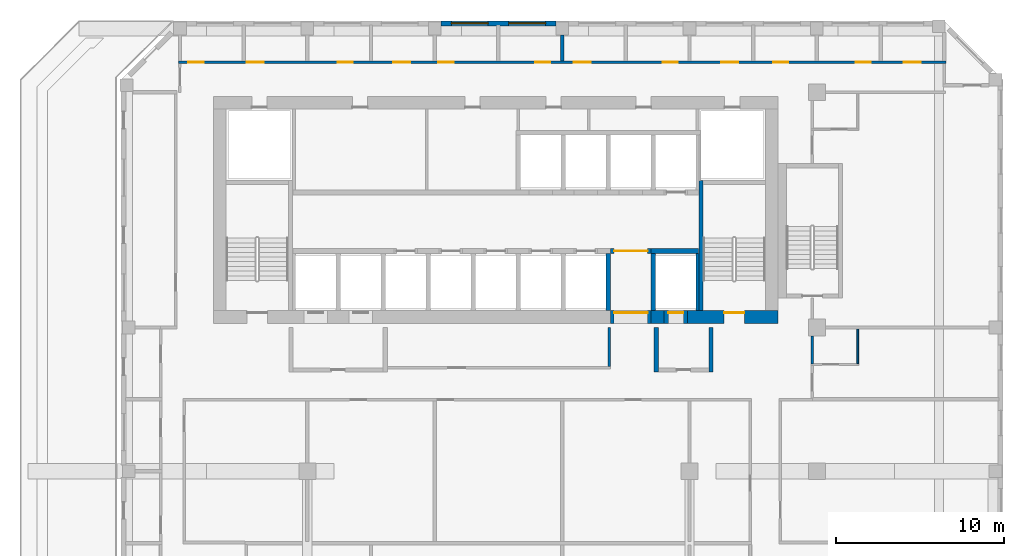
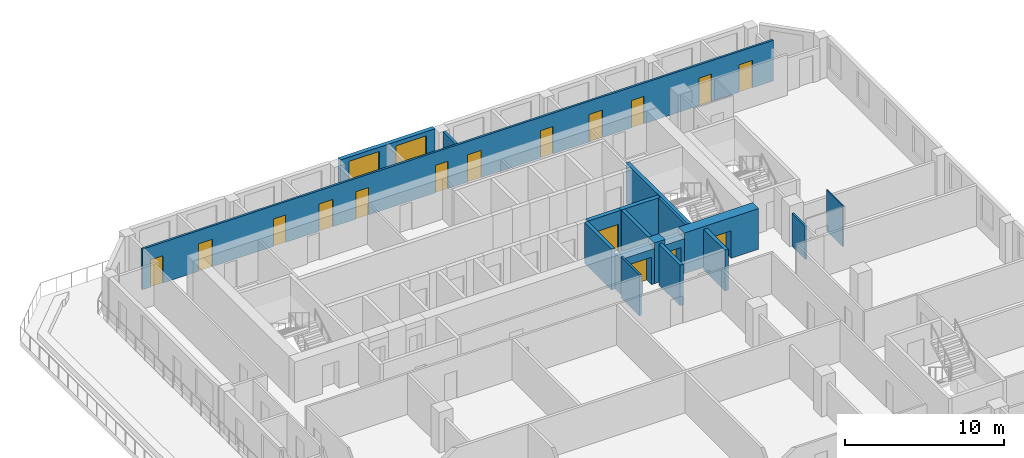
# One storey, part 9 of 16: 18 walls, 16 doors, 2 windows, 18 openings.
"""IFC4 building model written with IfcOpenShell, lengths in metres."""

from ifc_helpers import new_model, si_unit, direction, frame, frame_2d, origin, place, context, subcontext, project, spatial, rectangle, extrude, source, transform, mapped, material, layer, layer_set, type_object, element, fill, save


model = new_model("IFC4")

# Units and contexts
model_context = context("Model", 3, precision=1e-05, world=origin(), true_north=direction((0.0, 1.0)))
body_context = subcontext(model_context, "Body", "Model", "MODEL_VIEW")
ifc_project = project(units=[si_unit("LENGTHUNIT", "METRE"), si_unit("AREAUNIT", "SQUARE_METRE"), si_unit("VOLUMEUNIT", "CUBIC_METRE"), si_unit("PLANEANGLEUNIT", "RADIAN"), si_unit("MASSUNIT", "GRAM", prefix="KILO")], contexts=[model_context])

# Site, building, storey
site_placement = place(None, origin())
site = spatial("IfcSite", under=ifc_project, at=site_placement, CompositionType="ELEMENT")
building_placement = place(site_placement, origin())
building = spatial("IfcBuilding", under=site, at=building_placement, Name="Kilnfold Tower and Market Hall", CompositionType="ELEMENT")
storey_placement = place(building_placement, frame((0.0, 0.0, 199.89990234375)))
storey = spatial("IfcBuildingStorey", under=building, at=storey_placement, Name="L48", CompositionType="ELEMENT", Elevation=199.89990234375)

# Wall
ifc_material_1 = material(Name="Gypsum board on steel studs", Category="steel")
ifc_layer_1 = layer(ifc_material_1, 0.14990234375)
ifc_layer_set_1 = layer_set([ifc_layer_1], Name="Gypsum board on steel studs")
wall_type_1 = type_object("IfcWallType", Name="WALL CORRIDOR 150", PredefinedType="PARTITIONING", material=ifc_layer_set_1)
wall_1_placement = place(storey_placement, frame((19.89990234375, 5.840087890625, 0.0), z_axis=(0.0, 0.0, 1.0), x_axis=(0.0, 1.0, 0.0)))
element("IfcWall", 1, at=wall_1_placement, inside=storey, type_object=wall_type_1, Name="Partition LY30.19", PredefinedType="PARTITIONING", context=body_context, shape_type="SweptSolid", body=[
    extrude(rectangle(XDim=1.659912109375, YDim=0.14990234375, at=frame_2d((0.830078125, 0.0))), origin(), (0.0, 0.0, 1.0), 2.52001953125),
])

# Wall, openings, doors
wall_2_placement = place(storey_placement, frame((-17.85009765625, 23.800048828125, 0.0), z_axis=(0.0, 0.0, 1.0), x_axis=(1.0, 0.0, 0.0)))
wall_2 = element("IfcWall", 2, at=wall_2_placement, inside=storey, type_object=wall_type_1, Name="Partition LY30.31", PredefinedType="PARTITIONING", context=body_context, shape_type="SweptSolid", body=[
    extrude(rectangle(XDim=45.7001953125, YDim=0.14990234375, at=frame_2d((22.85009765625, 0.0))), origin(), (0.0, 0.0, 1.0), 3.1201171875),
])
opening_1_placement = place(wall_2_placement, frame((0.60009765625, 0.0, 0.0)))
opening_1 = element("IfcOpeningElement", 3, at=opening_1_placement, cuts=wall_2, Name="Opening D2", PredefinedType="OPENING", context=body_context, shape_type="SweptSolid", body=[
    extrude(rectangle(XDim=0.89990234375, YDim=2.10009765625, at=frame_2d((0.449951171875, 1.050048828125))), frame((0.0, 0.0849609375, 0.0), z_axis=(0.0, -1.0, 0.0), x_axis=(1.0, 0.0, 0.0)), (0.0, 0.0, 1.0), 0.169921875),
])
opening_2_placement = place(wall_2_placement, frame((4.0810546875, 0.0, 0.0)))
opening_2 = element("IfcOpeningElement", 4, at=opening_2_placement, cuts=wall_2, Name="Opening D4", PredefinedType="OPENING", context=body_context, shape_type="SweptSolid", body=[
    extrude(rectangle(XDim=1.0, YDim=2.10009765625, at=frame_2d((0.5, 1.050048828125))), frame((0.0, 0.0849609375, 0.0), z_axis=(0.0, -1.0, 0.0), x_axis=(1.0, 0.0, 0.0)), (0.0, 0.0, 1.0), 0.169921875),
])
opening_3_placement = place(wall_2_placement, frame((9.48095703125, 0.0, 0.0)))
opening_3 = element("IfcOpeningElement", 5, at=opening_3_placement, cuts=wall_2, Name="Opening D2", PredefinedType="OPENING", context=body_context, shape_type="SweptSolid", body=[
    extrude(rectangle(XDim=0.89990234375, YDim=2.10009765625, at=frame_2d((0.449951171875, 1.050048828125))), frame((0.0, 0.0849609375, 0.0), z_axis=(0.0, -1.0, 0.0), x_axis=(1.0, 0.0, 0.0)), (0.0, 0.0, 1.0), 0.169921875),
])
opening_4_placement = place(wall_2_placement, frame((12.802978515625, 0.0, 0.0)))
opening_4 = element("IfcOpeningElement", 6, at=opening_4_placement, cuts=wall_2, Name="Opening D4", PredefinedType="OPENING", context=body_context, shape_type="SweptSolid", body=[
    extrude(rectangle(XDim=1.0, YDim=2.10009765625, at=frame_2d((0.5, 1.050048828125))), frame((0.0, 0.0849609375, 0.0), z_axis=(0.0, -1.0, 0.0), x_axis=(1.0, 0.0, 0.0)), (0.0, 0.0, 1.0), 0.169921875),
])
opening_5_placement = place(wall_2_placement, frame((15.489013671875, 0.0, 0.0)))
opening_5 = element("IfcOpeningElement", 7, at=opening_5_placement, cuts=wall_2, Name="Opening D2", PredefinedType="OPENING", context=body_context, shape_type="SweptSolid", body=[
    extrude(rectangle(XDim=0.89990234375, YDim=2.10009765625, at=frame_2d((0.449951171875, 1.050048828125))), frame((0.0, 0.0849609375, 0.0), z_axis=(0.0, -1.0, 0.0), x_axis=(1.0, 0.0, 0.0)), (0.0, 0.0, 1.0), 0.169921875),
])
opening_6_placement = place(wall_2_placement, frame((21.243896484375, 0.0, 0.0)))
opening_6 = element("IfcOpeningElement", 8, at=opening_6_placement, cuts=wall_2, Name="Opening D2", PredefinedType="OPENING", context=body_context, shape_type="SweptSolid", body=[
    extrude(rectangle(XDim=0.89990234375, YDim=2.10009765625, at=frame_2d((0.449951171875, 1.050048828125))), frame((0.0, 0.0849609375, 0.0), z_axis=(0.0, -1.0, 0.0), x_axis=(1.0, 0.0, 0.0)), (0.0, 0.0, 1.0), 0.169921875),
])
opening_7_placement = place(wall_2_placement, frame((23.5419921875, 0.0, 0.0)))
opening_7 = element("IfcOpeningElement", 9, at=opening_7_placement, cuts=wall_2, Name="Opening D4", PredefinedType="OPENING", context=body_context, shape_type="SweptSolid", body=[
    extrude(rectangle(XDim=1.0, YDim=2.10009765625, at=frame_2d((0.5, 1.050048828125))), frame((0.0, 0.0849609375, 0.0), z_axis=(0.0, -1.0, 0.0), x_axis=(1.0, 0.0, 0.0)), (0.0, 0.0, 1.0), 0.169921875),
])
opening_8_placement = place(wall_2_placement, frame((28.841064453125, 0.0, 0.0)))
opening_8 = element("IfcOpeningElement", 10, at=opening_8_placement, cuts=wall_2, Name="Opening D2", PredefinedType="OPENING", context=body_context, shape_type="SweptSolid", body=[
    extrude(rectangle(XDim=0.89990234375, YDim=2.10009765625, at=frame_2d((0.449951171875, 1.050048828125))), frame((0.0, 0.0849609375, 0.0), z_axis=(0.0, -1.0, 0.0), x_axis=(1.0, 0.0, 0.0)), (0.0, 0.0, 1.0), 0.169921875),
])
opening_9_placement = place(wall_2_placement, frame((32.3310546875, 0.0, 0.0)))
opening_9 = element("IfcOpeningElement", 11, at=opening_9_placement, cuts=wall_2, Name="Opening D4", PredefinedType="OPENING", context=body_context, shape_type="SweptSolid", body=[
    extrude(rectangle(XDim=1.0, YDim=2.10009765625, at=frame_2d((0.5, 1.050048828125))), frame((0.0, 0.0849609375, 0.0), z_axis=(0.0, -1.0, 0.0), x_axis=(1.0, 0.0, 0.0)), (0.0, 0.0, 1.0), 0.169921875),
])
opening_10_placement = place(wall_2_placement, frame((35.419921875, 0.0, 0.0)))
opening_10 = element("IfcOpeningElement", 12, at=opening_10_placement, cuts=wall_2, Name="Opening D2", PredefinedType="OPENING", context=body_context, shape_type="SweptSolid", body=[
    extrude(rectangle(XDim=0.89990234375, YDim=2.10009765625, at=frame_2d((0.449951171875, 1.050048828125))), frame((0.0, 0.0849609375, 0.0), z_axis=(0.0, -1.0, 0.0), x_axis=(1.0, 0.0, 0.0)), (0.0, 0.0, 1.0), 0.169921875),
])
opening_11_placement = place(wall_2_placement, frame((40.31689453125, 0.0, 0.0)))
opening_11 = element("IfcOpeningElement", 13, at=opening_11_placement, cuts=wall_2, Name="Opening D2", PredefinedType="OPENING", context=body_context, shape_type="SweptSolid", body=[
    extrude(rectangle(XDim=0.89990234375, YDim=2.10009765625, at=frame_2d((0.449951171875, 1.050048828125))), frame((0.0, 0.0849609375, 0.0), z_axis=(0.0, -1.0, 0.0), x_axis=(1.0, 0.0, 0.0)), (0.0, 0.0, 1.0), 0.169921875),
])
opening_12_placement = place(wall_2_placement, frame((43.198974609375, 0.0, 0.0)))
opening_12 = element("IfcOpeningElement", 14, at=opening_12_placement, cuts=wall_2, Name="Opening D4", PredefinedType="OPENING", context=body_context, shape_type="SweptSolid", body=[
    extrude(rectangle(XDim=1.0, YDim=2.10009765625, at=frame_2d((0.5, 1.050048828125))), frame((0.0, 0.0849609375, 0.0), z_axis=(0.0, -1.0, 0.0), x_axis=(1.0, 0.0, 0.0)), (0.0, 0.0, 1.0), 0.169921875),
])
ifc_material_2 = material(Name="Timber veneer door leaf in steel frame", Category="steel")
door_type_1 = type_object("IfcDoorType", Name="DOOR ROOM 900 X2100", OperationType="NOTDEFINED", PredefinedType="DOOR", material=ifc_material_2)
door_1_placement = place(opening_1_placement, origin())
door_1 = element("IfcDoor", 15, at=door_1_placement, inside=storey, type_object=door_type_1, Name="Door D2", OperationType="SINGLE_SWING_LEFT", OverallHeight=2.10009765625, OverallWidth=0.89990234375, PredefinedType="DOOR", context=body_context, shape_type="SweptSolid", body=[
    extrude(rectangle(XDim=0.89990234375, YDim=2.10009765625, at=frame_2d((0.449951171875, 1.050048828125))), frame((0.0, 0.02490234375, 0.0), z_axis=(0.0, -1.0, 0.0), x_axis=(1.0, 0.0, 0.0)), (0.0, 0.0, 1.0), 0.050048828125),
])
fill(opening_1, door_1)
door_2_placement = place(opening_3_placement, origin())
door_2 = element("IfcDoor", 16, at=door_2_placement, inside=storey, type_object=door_type_1, Name="Door D2", OperationType="SINGLE_SWING_RIGHT", OverallHeight=2.10009765625, OverallWidth=0.89990234375, PredefinedType="DOOR", context=body_context, shape_type="SweptSolid", body=[
    extrude(rectangle(XDim=0.89990234375, YDim=2.10009765625, at=frame_2d((0.449951171875, 1.050048828125))), frame((0.0, 0.02490234375, 0.0), z_axis=(0.0, -1.0, 0.0), x_axis=(1.0, 0.0, 0.0)), (0.0, 0.0, 1.0), 0.050048828125),
])
fill(opening_3, door_2)
door_3_placement = place(opening_5_placement, origin())
door_3 = element("IfcDoor", 17, at=door_3_placement, inside=storey, type_object=door_type_1, Name="Door D2", OperationType="SINGLE_SWING_RIGHT", OverallHeight=2.10009765625, OverallWidth=0.89990234375, PredefinedType="DOOR", context=body_context, shape_type="SweptSolid", body=[
    extrude(rectangle(XDim=0.89990234375, YDim=2.10009765625, at=frame_2d((0.449951171875, 1.050048828125))), frame((0.0, 0.02490234375, 0.0), z_axis=(0.0, -1.0, 0.0), x_axis=(1.0, 0.0, 0.0)), (0.0, 0.0, 1.0), 0.050048828125),
])
fill(opening_5, door_3)
door_4_placement = place(opening_6_placement, origin())
door_4 = element("IfcDoor", 18, at=door_4_placement, inside=storey, type_object=door_type_1, Name="Door D2", OperationType="SINGLE_SWING_RIGHT", OverallHeight=2.10009765625, OverallWidth=0.89990234375, PredefinedType="DOOR", context=body_context, shape_type="SweptSolid", body=[
    extrude(rectangle(XDim=0.89990234375, YDim=2.10009765625, at=frame_2d((0.449951171875, 1.050048828125))), frame((0.0, 0.02490234375, 0.0), z_axis=(0.0, -1.0, 0.0), x_axis=(1.0, 0.0, 0.0)), (0.0, 0.0, 1.0), 0.050048828125),
])
fill(opening_6, door_4)
door_5_placement = place(opening_8_placement, origin())
door_5 = element("IfcDoor", 19, at=door_5_placement, inside=storey, type_object=door_type_1, Name="Door D2", OperationType="SINGLE_SWING_RIGHT", OverallHeight=2.10009765625, OverallWidth=0.89990234375, PredefinedType="DOOR", context=body_context, shape_type="SweptSolid", body=[
    extrude(rectangle(XDim=0.89990234375, YDim=2.10009765625, at=frame_2d((0.449951171875, 1.050048828125))), frame((0.0, 0.02490234375, 0.0), z_axis=(0.0, -1.0, 0.0), x_axis=(1.0, 0.0, 0.0)), (0.0, 0.0, 1.0), 0.050048828125),
])
fill(opening_8, door_5)
door_6_placement = place(opening_10_placement, origin())
door_6 = element("IfcDoor", 20, at=door_6_placement, inside=storey, type_object=door_type_1, Name="Door D2", OperationType="SINGLE_SWING_RIGHT", OverallHeight=2.10009765625, OverallWidth=0.89990234375, PredefinedType="DOOR", context=body_context, shape_type="SweptSolid", body=[
    extrude(rectangle(XDim=0.89990234375, YDim=2.10009765625, at=frame_2d((0.449951171875, 1.050048828125))), frame((0.0, 0.02490234375, 0.0), z_axis=(0.0, -1.0, 0.0), x_axis=(1.0, 0.0, 0.0)), (0.0, 0.0, 1.0), 0.050048828125),
])
fill(opening_10, door_6)
door_7_placement = place(opening_11_placement, origin())
door_7 = element("IfcDoor", 21, at=door_7_placement, inside=storey, type_object=door_type_1, Name="Door D2", OperationType="SINGLE_SWING_LEFT", OverallHeight=2.10009765625, OverallWidth=0.89990234375, PredefinedType="DOOR", context=body_context, shape_type="SweptSolid", body=[
    extrude(rectangle(XDim=0.89990234375, YDim=2.10009765625, at=frame_2d((0.449951171875, 1.050048828125))), frame((0.0, 0.02490234375, 0.0), z_axis=(0.0, -1.0, 0.0), x_axis=(1.0, 0.0, 0.0)), (0.0, 0.0, 1.0), 0.050048828125),
])
fill(opening_11, door_7)
ifc_material_3 = material(Name="Timber veneer door leaf in steel frame", Category="steel")
door_type_2 = type_object("IfcDoorType", Name="DOOR SERVICE 1000 X2100", OperationType="NOTDEFINED", PredefinedType="DOOR", material=ifc_material_3)
door_8_placement = place(opening_2_placement, origin())
door_8 = element("IfcDoor", 22, at=door_8_placement, inside=storey, type_object=door_type_2, Name="Door D4", OperationType="SINGLE_SWING_LEFT", OverallHeight=2.10009765625, OverallWidth=1.0, PredefinedType="DOOR", context=body_context, shape_type="SweptSolid", body=[
    extrude(rectangle(XDim=1.0, YDim=2.10009765625, at=frame_2d((0.5, 1.050048828125))), frame((0.0, 0.02490234375, 0.0), z_axis=(0.0, -1.0, 0.0), x_axis=(1.0, 0.0, 0.0)), (0.0, 0.0, 1.0), 0.050048828125),
])
fill(opening_2, door_8)
door_9_placement = place(opening_4_placement, origin())
door_9 = element("IfcDoor", 23, at=door_9_placement, inside=storey, type_object=door_type_2, Name="Door D4", OperationType="SINGLE_SWING_RIGHT", OverallHeight=2.10009765625, OverallWidth=1.0, PredefinedType="DOOR", context=body_context, shape_type="SweptSolid", body=[
    extrude(rectangle(XDim=1.0, YDim=2.10009765625, at=frame_2d((0.5, 1.050048828125))), frame((0.0, 0.02490234375, 0.0), z_axis=(0.0, -1.0, 0.0), x_axis=(1.0, 0.0, 0.0)), (0.0, 0.0, 1.0), 0.050048828125),
])
fill(opening_4, door_9)
door_10_placement = place(opening_7_placement, origin())
door_10 = element("IfcDoor", 24, at=door_10_placement, inside=storey, type_object=door_type_2, Name="Door D4", OperationType="SINGLE_SWING_RIGHT", OverallHeight=2.10009765625, OverallWidth=1.0, PredefinedType="DOOR", context=body_context, shape_type="SweptSolid", body=[
    extrude(rectangle(XDim=1.0, YDim=2.10009765625, at=frame_2d((0.5, 1.050048828125))), frame((0.0, 0.02490234375, 0.0), z_axis=(0.0, -1.0, 0.0), x_axis=(1.0, 0.0, 0.0)), (0.0, 0.0, 1.0), 0.050048828125),
])
fill(opening_7, door_10)
door_11_placement = place(opening_9_placement, origin())
door_11 = element("IfcDoor", 25, at=door_11_placement, inside=storey, type_object=door_type_2, Name="Door D4", OperationType="SINGLE_SWING_RIGHT", OverallHeight=2.10009765625, OverallWidth=1.0, PredefinedType="DOOR", context=body_context, shape_type="SweptSolid", body=[
    extrude(rectangle(XDim=1.0, YDim=2.10009765625, at=frame_2d((0.5, 1.050048828125))), frame((0.0, 0.02490234375, 0.0), z_axis=(0.0, -1.0, 0.0), x_axis=(1.0, 0.0, 0.0)), (0.0, 0.0, 1.0), 0.050048828125),
])
fill(opening_9, door_11)
door_12_placement = place(opening_12_placement, origin())
door_12 = element("IfcDoor", 26, at=door_12_placement, inside=storey, type_object=door_type_2, Name="Door D4", OperationType="SINGLE_SWING_RIGHT", OverallHeight=2.10009765625, OverallWidth=1.0, PredefinedType="DOOR", context=body_context, shape_type="SweptSolid", body=[
    extrude(rectangle(XDim=1.0, YDim=2.10009765625, at=frame_2d((0.5, 1.050048828125))), frame((0.0, 0.02490234375, 0.0), z_axis=(0.0, -1.0, 0.0), x_axis=(1.0, 0.0, 0.0)), (0.0, 0.0, 1.0), 0.050048828125),
])
fill(opening_12, door_12)

# Walls
wall_3_placement = place(storey_placement, frame((7.800048828125, 8.0, 0.0), z_axis=(0.0, 0.0, 1.0), x_axis=(0.0, -1.0, 0.0)))
element("IfcWall", 27, at=wall_3_placement, inside=storey, type_object=wall_type_1, Name="Partition LY30.33", PredefinedType="PARTITIONING", context=body_context, shape_type="SweptSolid", body=[
    extrude(rectangle(XDim=2.324951171875, YDim=0.14990234375, at=frame_2d((1.16259765625, 0.0))), origin(), (0.0, 0.0, 1.0), 3.1201171875),
])
ifc_material_4 = material(Name="Gypsum board on steel studs", Category="steel")
ifc_layer_2 = layer(ifc_material_4, 0.10009765625)
ifc_layer_set_2 = layer_set([ifc_layer_2], Name="Gypsum board on steel studs")
wall_type_2 = type_object("IfcWallType", Name="WALL PARTITION 100", PredefinedType="PARTITIONING", material=ifc_layer_set_2)
wall_4_placement = place(storey_placement, frame((22.60205078125, 5.85009765625, 0.0), z_axis=(0.0, 0.0, 1.0), x_axis=(0.0, 1.0, 0.0)))
element("IfcWall", 28, at=wall_4_placement, inside=storey, type_object=wall_type_2, Name="Partition LY30.90", PredefinedType="PARTITIONING", context=body_context, shape_type="SweptSolid", body=[
    extrude(rectangle(XDim=2.0498046875, YDim=0.10009765625, at=frame_2d((1.02490234375, 0.0))), origin(), (0.0, 0.0, 1.0), 3.1201171875),
])
ifc_material_5 = material(Name="Gypsum board on steel studs", Category="steel")
ifc_layer_3 = layer(ifc_material_5, 0.199951171875)
ifc_layer_set_3 = layer_set([ifc_layer_3], Name="Gypsum board on steel studs")
wall_type_3 = type_object("IfcWallType", Name="WALL PARTY 200", PredefinedType="PARTITIONING", material=ifc_layer_set_3)
wall_5_placement = place(storey_placement, frame((5.0, 23.876953125, 0.0), z_axis=(0.0, 0.0, 1.0), x_axis=(0.0, 1.0, 0.0)))
element("IfcWall", 29, at=wall_5_placement, inside=storey, type_object=wall_type_3, Name="Partition LY30.104", PredefinedType="PARTITIONING", context=body_context, shape_type="SweptSolid", body=[
    extrude(rectangle(XDim=1.548095703125, YDim=0.199951171875, at=frame_2d((0.77392578125, 0.0))), origin(), (0.0, 0.0, 1.0), 3.1201171875),
])
ifc_material_6 = material(Name="Concrete C60", Category="concrete")
ifc_layer_4 = layer(ifc_material_6, 0.25)
ifc_layer_set_4 = layer_set([ifc_layer_4], Name="Concrete C60")
wall_type_4 = type_object("IfcWallType", Name="CORE WALL 250 C60", PredefinedType="SHEAR", material=ifc_layer_set_4)
shared_shape_1 = source(origin(), body_context, "Body", "SweptSolid", [
    extrude(rectangle(XDim=7.75, YDim=0.25, at=frame_2d((3.875, 0.0))), origin(), (0.0, 0.0, 1.0), 3.1201171875),
])
wall_6_placement = place(storey_placement, frame((13.27490234375, 9.0, 0.0), z_axis=(0.0, 0.0, 1.0), x_axis=(0.0, 1.0, 0.0)))
element("IfcWall", 30, at=wall_6_placement, inside=storey, type_object=wall_type_4, Name="Stair enclosure ST2", PredefinedType="SHEAR", context=body_context, shape_type="MappedRepresentation", body=[
    mapped(shared_shape_1, transform((0.0, 0.0, 0.0))),
])
ifc_material_7 = material(Name="Concrete C60", Category="concrete")
ifc_layer_5 = layer(ifc_material_7, 0.300048828125)
ifc_layer_set_5 = layer_set([ifc_layer_5], Name="Concrete C60")
wall_type_5 = type_object("IfcWallType", Name="CORE WALL 300 C60", PredefinedType="SHEAR", material=ifc_layer_set_5)
shared_shape_2 = source(origin(), body_context, "Body", "SweptSolid", [
    extrude(rectangle(XDim=2.820068359375, YDim=0.300048828125, at=frame_2d((1.41015625, 0.0))), origin(), (0.0, 0.0, 1.0), 3.1201171875),
])
wall_7_placement = place(storey_placement, frame((10.2900390625, 12.550048828125, 0.0), z_axis=(0.0, 0.0, 1.0), x_axis=(1.0, 0.0, 0.0)))
element("IfcWall", 31, at=wall_7_placement, inside=storey, type_object=wall_type_5, Name="Core spine wall", PredefinedType="SHEAR", context=body_context, shape_type="MappedRepresentation", body=[
    mapped(shared_shape_2, transform((0.0, 0.0, 0.0))),
])
ifc_material_8 = material(Name="Concrete C60", Category="concrete")
ifc_layer_6 = layer(ifc_material_8, 0.75)
ifc_layer_set_6 = layer_set([ifc_layer_6], Name="Concrete C60")
wall_type_6 = type_object("IfcWallType", Name="CORE WALL 750 C60", PredefinedType="SHEAR", material=ifc_layer_set_6)
shared_shape_3 = source(origin(), body_context, "Body", "SweptSolid", [
    extrude(rectangle(XDim=0.780029296875, YDim=0.75, at=frame_2d((0.39013671875, 0.0))), origin(), (0.0, 0.0, 1.0), 3.1201171875),
])
wall_8_placement = place(storey_placement, frame((10.2900390625, 8.625, 0.0), z_axis=(0.0, 0.0, 1.0), x_axis=(1.0, 0.0, 0.0)))
element("IfcWall", 32, at=wall_8_placement, inside=storey, type_object=wall_type_6, Name="Core outer wall south", PredefinedType="SHEAR", context=body_context, shape_type="MappedRepresentation", body=[
    mapped(shared_shape_3, transform((0.0, 0.0, 0.0))),
])

# Wall, opening, door
shared_shape_4 = source(origin(), body_context, "Body", "SweptSolid", [
    extrude(rectangle(XDim=5.380126953125, YDim=0.75, at=frame_2d((2.68994140625, 0.0))), origin(), (0.0, 0.0, 1.0), 3.1201171875),
])
wall_9_placement = place(storey_placement, frame((12.469970703125, 8.625, 0.0), z_axis=(0.0, 0.0, 1.0), x_axis=(1.0, 0.0, 0.0)))
wall_9 = element("IfcWall", 33, at=wall_9_placement, inside=storey, type_object=wall_type_6, Name="Core outer wall south", PredefinedType="SHEAR", context=body_context, shape_type="MappedRepresentation", body=[
    mapped(shared_shape_4, transform((0.0, 0.0, 0.0))),
])
opening_13_placement = place(wall_9_placement, frame((2.179931640625, 0.0, 0.0)))
opening_13 = element("IfcOpeningElement", 34, at=opening_13_placement, cuts=wall_9, Name="Opening SD1", PredefinedType="OPENING", context=body_context, shape_type="SweptSolid", body=[
    extrude(rectangle(XDim=1.199951171875, YDim=2.10009765625, at=frame_2d((0.60009765625, 1.050048828125))), frame((0.0, 0.385009765625, 0.0), z_axis=(0.0, -1.0, 0.0), x_axis=(1.0, 0.0, 0.0)), (0.0, 0.0, 1.0), 0.77001953125),
])
ifc_material_9 = material(Name="Steel door set with fire-resisting leaf", Category="steel")
door_type_3 = type_object("IfcDoorType", Name="STAIR FLOOR DOOR 1200X2100", OperationType="NOTDEFINED", PredefinedType="DOOR", material=ifc_material_9)
door_13_placement = place(opening_13_placement, origin())
door_13 = element("IfcDoor", 35, at=door_13_placement, inside=storey, type_object=door_type_3, Name="Exit stair ST2 door", OperationType="DOUBLE_DOOR_SINGLE_SWING", OverallHeight=2.10009765625, OverallWidth=1.199951171875, PredefinedType="DOOR", context=body_context, shape_type="SweptSolid", body=[
    extrude(rectangle(XDim=1.199951171875, YDim=2.10009765625, at=frame_2d((0.60009765625, 1.050048828125))), frame((0.0, 0.27978515625, 0.0), z_axis=(0.0, -1.0, 0.0), x_axis=(1.0, 0.0, 0.0)), (0.0, 0.0, 1.0), 0.050048828125),
])
fill(opening_13, door_13)

# Wall, openings, windows
ifc_material_10 = material(Name="Precast concrete C50/60", Category="concrete")
ifc_layer_7 = layer(ifc_material_10, 0.300048828125)
ifc_layer_set_7 = layer_set([ifc_layer_7], Name="Precast concrete C50/60")
wall_type_7 = type_object("IfcWallType", Name="PRECAST WALL 300", PredefinedType="SOLIDWALL", material=ifc_layer_set_7)
shared_shape_5 = source(origin(), body_context, "Body", "SweptSolid", [
    extrude(rectangle(XDim=6.833251953125, YDim=0.300048828125, at=frame_2d((3.41650390625, 0.0))), origin(), (0.0, 0.0, 1.0), 3.1201171875),
])
wall_10_placement = place(storey_placement, frame((4.625, 26.10009765625, 0.0), z_axis=(0.0, 0.0, 1.0), x_axis=(-1.0, 0.0, 0.0)))
wall_10 = element("IfcWall", 36, at=wall_10_placement, inside=storey, type_object=wall_type_7, Name="External wall L48 N", PredefinedType="SOLIDWALL", context=body_context, shape_type="MappedRepresentation", body=[
    mapped(shared_shape_5, transform((0.0, 0.0, 0.0))),
])
opening_14_placement = place(wall_10_placement, frame((0.6083984375, 0.0, 0.85009765625)))
opening_14 = element("IfcOpeningElement", 37, at=opening_14_placement, cuts=wall_10, Name="Opening W2", PredefinedType="OPENING", context=body_context, shape_type="SweptSolid", body=[
    extrude(rectangle(XDim=2.199951171875, YDim=1.949951171875, at=frame_2d((1.10009765625, 0.97509765625))), frame((0.0, 0.16015625, 0.0), z_axis=(0.0, -1.0, 0.0), x_axis=(1.0, 0.0, 0.0)), (0.0, 0.0, 1.0), 0.320068359375),
])
opening_15_placement = place(wall_10_placement, frame((4.02490234375, 0.0, 0.85009765625)))
opening_15 = element("IfcOpeningElement", 38, at=opening_15_placement, cuts=wall_10, Name="Opening W2", PredefinedType="OPENING", context=body_context, shape_type="SweptSolid", body=[
    extrude(rectangle(XDim=2.199951171875, YDim=1.949951171875, at=frame_2d((1.10009765625, 0.97509765625))), frame((0.0, 0.16015625, 0.0), z_axis=(0.0, -1.0, 0.0), x_axis=(1.0, 0.0, 0.0)), (0.0, 0.0, 1.0), 0.320068359375),
])
ifc_material_11 = material(Name="Aluminium frame and double glazing", Category="aluminium")
window_type = type_object("IfcWindowType", Name="WINDOW W2 2200X1950", PartitioningType="SINGLE_PANEL", PredefinedType="WINDOW", material=ifc_material_11)
window_1_placement = place(opening_14_placement, origin())
window_1 = element("IfcWindow", 39, at=window_1_placement, inside=storey, type_object=window_type, Name="Window W2 L48 N-1", OverallHeight=1.949951171875, OverallWidth=2.199951171875, PartitioningType="SINGLE_PANEL", PredefinedType="WINDOW", context=body_context, shape_type="SweptSolid", body=[
    extrude(rectangle(XDim=2.199951171875, YDim=1.949951171875, at=frame_2d((1.10009765625, 0.97509765625))), frame((0.0, 0.030029296875, 0.0), z_axis=(0.0, -1.0, 0.0), x_axis=(1.0, 0.0, 0.0)), (0.0, 0.0, 1.0), 0.06005859375),
])
fill(opening_14, window_1)
window_2_placement = place(opening_15_placement, origin())
window_2 = element("IfcWindow", 40, at=window_2_placement, inside=storey, type_object=window_type, Name="Window W2 L48 N-2", OverallHeight=1.949951171875, OverallWidth=2.199951171875, PartitioningType="SINGLE_PANEL", PredefinedType="WINDOW", context=body_context, shape_type="SweptSolid", body=[
    extrude(rectangle(XDim=2.199951171875, YDim=1.949951171875, at=frame_2d((1.10009765625, 0.97509765625))), frame((0.0, 0.030029296875, 0.0), z_axis=(0.0, -1.0, 0.0), x_axis=(1.0, 0.0, 0.0)), (0.0, 0.0, 1.0), 0.06005859375),
])
fill(opening_15, window_2)

# Wall, opening, door
ifc_material_12 = material(Name="Gypsum shaft wall system")
ifc_layer_8 = layer(ifc_material_12, 0.300048828125)
ifc_layer_set_8 = layer_set([ifc_layer_8], Name="Gypsum shaft wall system")
wall_type_8 = type_object("IfcWallType", Name="SHAFT WALL 300", PredefinedType="PARTITIONING", material=ifc_layer_set_8)
shared_shape_6 = source(origin(), body_context, "Body", "SweptSolid", [
    extrude(rectangle(XDim=2.400146484375, YDim=0.300048828125, at=frame_2d((1.2001953125, 0.0))), origin(), (0.0, 0.0, 1.0), 3.1201171875),
])
wall_11_placement = place(storey_placement, frame((7.889892578125, 12.550048828125, 0.0), z_axis=(0.0, 0.0, 1.0), x_axis=(1.0, 0.0, 0.0)))
wall_11 = element("IfcWall", 41, at=wall_11_placement, inside=storey, type_object=wall_type_8, Name="Lift shaft front wall", PredefinedType="PARTITIONING", context=body_context, shape_type="MappedRepresentation", body=[
    mapped(shared_shape_6, transform((0.0, 0.0, 0.0))),
])
opening_16_placement = place(wall_11_placement, frame((0.199951171875, 0.0, 0.0)))
opening_16 = element("IfcOpeningElement", 42, at=opening_16_placement, cuts=wall_11, Name="Opening VD2", PredefinedType="OPENING", context=body_context, shape_type="SweptSolid", body=[
    extrude(rectangle(XDim=2.0, YDim=2.10009765625, at=frame_2d((1.0, 1.050048828125))), frame((0.0, 0.16015625, 0.0), z_axis=(0.0, -1.0, 0.0), x_axis=(1.0, 0.0, 0.0)), (0.0, 0.0, 1.0), 0.320068359375),
])
ifc_material_13 = material(Name="Steel door set with fire-resisting leaf", Category="steel")
door_type_4 = type_object("IfcDoorType", Name="LIFT LOBBY ENTRANCE DOOR 2000X2100", OperationType="NOTDEFINED", PredefinedType="DOOR", material=ifc_material_13)
door_14_placement = place(opening_16_placement, origin())
door_14 = element("IfcDoor", 43, at=door_14_placement, inside=storey, type_object=door_type_4, Name="Lift lobby entrance door", OperationType="DOUBLE_DOOR_SINGLE_SWING", OverallHeight=2.10009765625, OverallWidth=2.0, PredefinedType="DOOR", context=body_context, shape_type="SweptSolid", body=[
    extrude(rectangle(XDim=2.0, YDim=2.10009765625, at=frame_2d((1.0, 1.050048828125))), frame((0.0, 0.02490234375, 0.0), z_axis=(0.0, -1.0, 0.0), x_axis=(1.0, 0.0, 0.0)), (0.0, 0.0, 1.0), 0.050048828125),
])
fill(opening_16, door_14)

# Walls
ifc_material_14 = material(Name="Gypsum shaft wall system")
ifc_layer_9 = layer(ifc_material_14, 0.25)
ifc_layer_set_9 = layer_set([ifc_layer_9], Name="Gypsum shaft wall system")
wall_type_9 = type_object("IfcWallType", Name="LOBBY WALL 250", PredefinedType="PARTITIONING", material=ifc_layer_set_9)
shared_shape_7 = source(origin(), body_context, "Body", "SweptSolid", [
    extrude(rectangle(XDim=2.64990234375, YDim=0.25, at=frame_2d((1.324951171875, 0.0))), origin(), (0.0, 0.0, 1.0), 3.1201171875),
])
for number, where, z_axis, x_axis, name in (
    (44, (10.60498046875, 5.35009765625, 0.0), (0.0, 0.0, 1.0), (0.0, 1.0, 0.0), "Firefighting lobby wall"),
    (45, (13.85498046875, 5.35009765625, 0.0), (0.0, 0.0, 1.0), (0.0, 1.0, 0.0), "Firefighting lobby wall"),
):
    element("IfcWall", number, at=place(storey_placement, frame(where, z_axis=z_axis, x_axis=x_axis)), inside=storey, type_object=wall_type_9, Name=name, PredefinedType="PARTITIONING", context=body_context, shape_type="MappedRepresentation", body=[
        mapped(shared_shape_7, transform((0.0, 0.0, 0.0))),
    ])
ifc_material_15 = material(Name="Gypsum shaft wall system")
ifc_layer_10 = layer(ifc_material_15, 0.25)
ifc_layer_set_10 = layer_set([ifc_layer_10], Name="Gypsum shaft wall system")
wall_type_10 = type_object("IfcWallType", Name="SHAFT WALL 250", PredefinedType="PARTITIONING", material=ifc_layer_set_10)
shared_shape_8 = source(origin(), body_context, "Body", "SweptSolid", [
    extrude(rectangle(XDim=3.39990234375, YDim=0.25, at=frame_2d((1.699951171875, 0.0))), origin(), (0.0, 0.0, 1.0), 3.1201171875),
])
for number, where, z_axis, x_axis, name in (
    (46, (10.429931640625, 9.0, 0.0), (0.0, 0.0, 1.0), (0.0, 1.0, 0.0), "Lift shaft wall"),
    (47, (7.75, 9.0, 0.0), (0.0, 0.0, 1.0), (0.0, 1.0, 0.0), "Lift shaft wall"),
):
    element("IfcWall", number, at=place(storey_placement, frame(where, z_axis=z_axis, x_axis=x_axis)), inside=storey, type_object=wall_type_10, Name=name, PredefinedType="PARTITIONING", context=body_context, shape_type="MappedRepresentation", body=[
        mapped(shared_shape_8, transform((0.0, 0.0, 0.0))),
    ])
ifc_material_16 = material(Name="Gypsum shaft wall system")
ifc_layer_11 = layer(ifc_material_16, 0.1650390625)
ifc_layer_set_11 = layer_set([ifc_layer_11], Name="Gypsum shaft wall system")
wall_type_11 = type_object("IfcWallType", Name="SHAFT WALL 165", PredefinedType="PARTITIONING", material=ifc_layer_set_11)
shared_shape_9 = source(origin(), body_context, "Body", "SweptSolid", [
    extrude(rectangle(XDim=3.39990234375, YDim=0.1650390625, at=frame_2d((1.699951171875, 0.0))), origin(), (0.0, 0.0, 1.0), 3.1201171875),
])
wall_12_placement = place(storey_placement, frame((13.0673828125, 9.0, 0.0), z_axis=(0.0, 0.0, 1.0), x_axis=(0.0, 1.0, 0.0)))
element("IfcWall", 48, at=wall_12_placement, inside=storey, type_object=wall_type_11, Name="Lift shaft wall", PredefinedType="PARTITIONING", context=body_context, shape_type="MappedRepresentation", body=[
    mapped(shared_shape_9, transform((0.0, 0.0, 0.0))),
])

# Wall, opening, door
ifc_material_17 = material(Name="Gypsum shaft wall system")
ifc_layer_12 = layer(ifc_material_17, 0.75)
ifc_layer_set_12 = layer_set([ifc_layer_12], Name="Gypsum shaft wall system")
wall_type_12 = type_object("IfcWallType", Name="LOBBY WALL 750", PredefinedType="PARTITIONING", material=ifc_layer_set_12)
shared_shape_10 = source(origin(), body_context, "Body", "SweptSolid", [
    extrude(rectangle(XDim=1.39990234375, YDim=0.75, at=frame_2d((0.699951171875, 0.0))), origin(), (0.0, 0.0, 1.0), 2.7001953125),
])
wall_13_placement = place(storey_placement, frame((11.070068359375, 8.625, 0.0), z_axis=(0.0, 0.0, 1.0), x_axis=(1.0, 0.0, 0.0)))
wall_13 = element("IfcWall", 49, at=wall_13_placement, inside=storey, type_object=wall_type_12, Name="Core wall infill", PredefinedType="PARTITIONING", context=body_context, shape_type="MappedRepresentation", body=[
    mapped(shared_shape_10, transform((0.0, 0.0, 0.0))),
])
opening_17_placement = place(wall_13_placement, frame((0.25, 0.0, 0.0)))
opening_17 = element("IfcOpeningElement", 50, at=opening_17_placement, cuts=wall_13, Name="Opening LD1", PredefinedType="OPENING", context=body_context, shape_type="SweptSolid", body=[
    extrude(rectangle(XDim=0.89990234375, YDim=2.10009765625, at=frame_2d((0.449951171875, 1.050048828125))), frame((0.0, 0.385009765625, 0.0), z_axis=(0.0, -1.0, 0.0), x_axis=(1.0, 0.0, 0.0)), (0.0, 0.0, 1.0), 0.77001953125),
])
ifc_material_18 = material(Name="Steel door set with fire-resisting leaf", Category="steel")
door_type_5 = type_object("IfcDoorType", Name="FIREFIGHTING LANDING DOOR 900X2100", OperationType="NOTDEFINED", PredefinedType="DOOR", material=ifc_material_18)
door_15_placement = place(opening_17_placement, origin())
door_15 = element("IfcDoor", 51, at=door_15_placement, inside=storey, type_object=door_type_5, Name="Landing door FF3", OperationType="SLIDING_TO_LEFT", OverallHeight=2.10009765625, OverallWidth=0.89990234375, PredefinedType="DOOR", context=body_context, shape_type="SweptSolid", body=[
    extrude(rectangle(XDim=0.89990234375, YDim=2.10009765625, at=frame_2d((0.449951171875, 1.050048828125))), frame((0.0, 0.27978515625, 0.0), z_axis=(0.0, -1.0, 0.0), x_axis=(1.0, 0.0, 0.0)), (0.0, 0.0, 1.0), 0.050048828125),
])
fill(opening_17, door_15)

shared_shape_11 = source(origin(), body_context, "Body", "SweptSolid", [
    extrude(rectangle(XDim=2.400146484375, YDim=0.75, at=frame_2d((1.2001953125, 0.0))), origin(), (0.0, 0.0, 1.0), 2.7001953125),
])
wall_14_placement = place(storey_placement, frame((7.889892578125, 8.625, 0.0), z_axis=(0.0, 0.0, 1.0), x_axis=(1.0, 0.0, 0.0)))
wall_14 = element("IfcWall", 52, at=wall_14_placement, inside=storey, type_object=wall_type_12, Name="Core wall infill", PredefinedType="PARTITIONING", context=body_context, shape_type="MappedRepresentation", body=[
    mapped(shared_shape_11, transform((0.0, 0.0, 0.0))),
])
opening_18_placement = place(wall_14_placement, frame((0.199951171875, 0.0, 0.0)))
opening_18 = element("IfcOpeningElement", 53, at=opening_18_placement, cuts=wall_14, Name="Opening VD2", PredefinedType="OPENING", context=body_context, shape_type="SweptSolid", body=[
    extrude(rectangle(XDim=2.0, YDim=2.10009765625, at=frame_2d((1.0, 1.050048828125))), frame((0.0, 0.385009765625, 0.0), z_axis=(0.0, -1.0, 0.0), x_axis=(1.0, 0.0, 0.0)), (0.0, 0.0, 1.0), 0.77001953125),
])
door_16_placement = place(opening_18_placement, origin())
door_16 = element("IfcDoor", 54, at=door_16_placement, inside=storey, type_object=door_type_4, Name="Lift lobby entrance door", OperationType="DOUBLE_DOOR_SINGLE_SWING", OverallHeight=2.10009765625, OverallWidth=2.0, PredefinedType="DOOR", context=body_context, shape_type="SweptSolid", body=[
    extrude(rectangle(XDim=2.0, YDim=2.10009765625, at=frame_2d((1.0, 1.050048828125))), frame((0.0, 0.27978515625, 0.0), z_axis=(0.0, -1.0, 0.0), x_axis=(1.0, 0.0, 0.0)), (0.0, 0.0, 1.0), 0.050048828125),
])
fill(opening_18, door_16)

save(model, "model.ifc")
